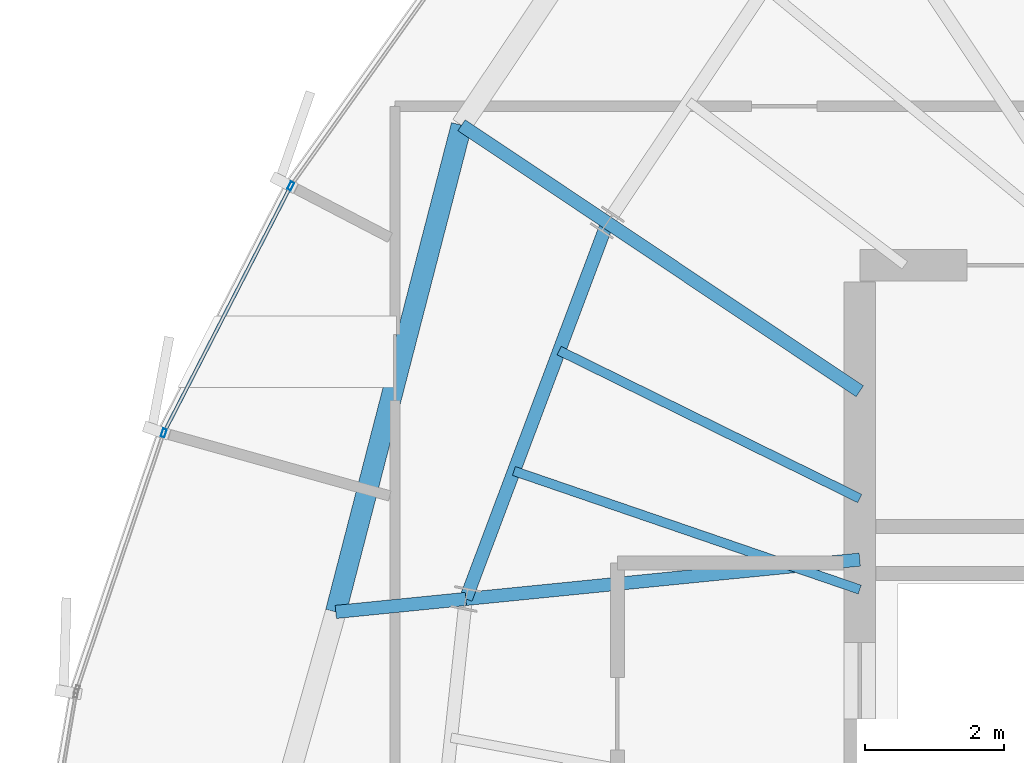
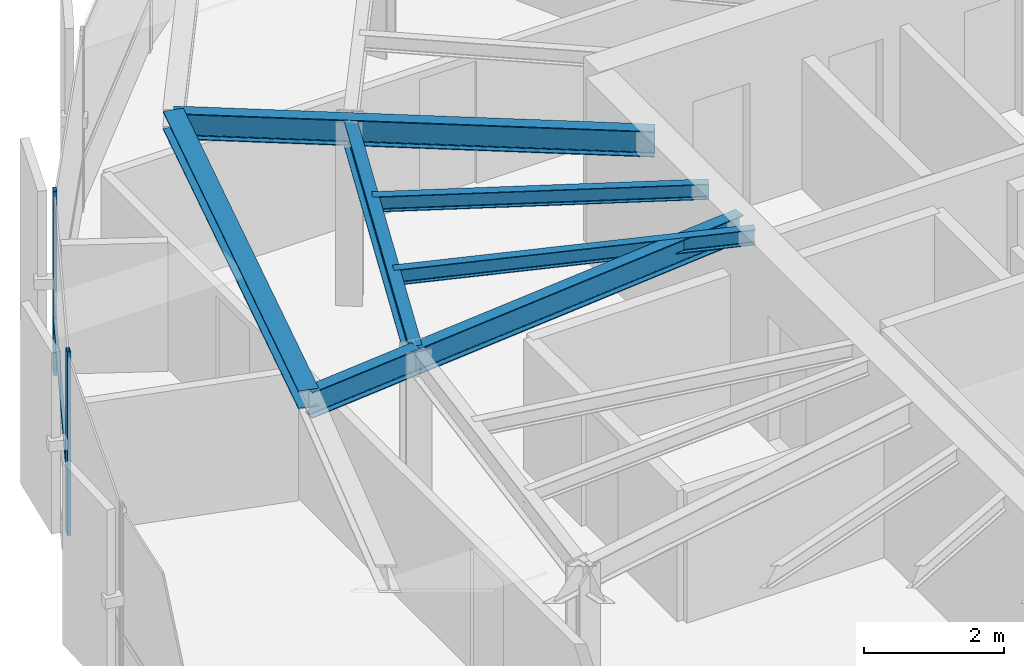
# One storey, part 11 of 33: 8 beams, 3 members, 1 element without a shape of its own.
"""IFC4 building model written with IfcOpenShell, lengths in metres."""

import ifcopenshell
import ifcopenshell.guid

model = None  # the IFC model being written
_history = None  # IfcOwnerHistory: only IFC2X3 demands one
_inside = {}  # id of a spatial element -> (the spatial element, [elements in it])
_under = {}  # id of a project, library or spatial element -> (it, [spatial elements below it])
_declared = {}  # id of a project -> (the project, [libraries it declares])
_typed = {}  # id of a type object -> (the type object, [elements of that type])
_made_of = {}  # id of a material, layer set ... -> (it, [elements and type objects made of it])


def new_model(schema):
    """Start an empty IFC model of exactly this schema.

    Asked for "IFC4X3", IfcOpenShell would pick the latest addendum, in which some entities
    have other attributes; the version numbers below select the first issue.
    IFC2X3 requires an IfcOwnerHistory on every rooted entity: one is made here for all.
    """
    global model, _history
    if schema == "IFC4X3":
        model = ifcopenshell.file(schema_version=(4, 3, 0, 0))
    else:
        model = ifcopenshell.file(schema=schema)
    _inside.clear()
    _under.clear()
    _declared.clear()
    _typed.clear()
    _made_of.clear()
    _history = None
    if model.schema == "IFC2X3":
        org = make("IfcOrganization", Name="unknown")
        user = make(
            "IfcPersonAndOrganization",
            ThePerson=make("IfcPerson", FamilyName="unknown"),
            TheOrganization=org,
        )
        app = make(
            "IfcApplication",
            ApplicationDeveloper=org,
            Version="unknown",
            ApplicationFullName="unknown",
            ApplicationIdentifier="unknown",
        )
        _history = make(
            "IfcOwnerHistory",
            OwningUser=user,
            OwningApplication=app,
            ChangeAction="ADDED",
            CreationDate=0,
        )
    return model


def make(cls, **values):
    """One entity of the class cls with the attributes given. An attribute that is None is left unset."""
    return model.create_entity(
        cls, **{name: value for name, value in values.items() if value is not None}
    )


def rooted(cls, **values):
    """An entity with a GlobalId (a new one), such as an element, a storey or a relation."""
    return make(cls, GlobalId=ifcopenshell.guid.new(), OwnerHistory=_history, **values)


def si_unit(unit_type, name, prefix=None):
    """IfcSIUnit, for example si_unit("LENGTHUNIT", "METRE", prefix="MILLI")."""
    return make("IfcSIUnit", UnitType=unit_type, Prefix=prefix, Name=name)


def assignment(units):
    """IfcUnitAssignment: the units of a project."""
    return None if units is None else make("IfcUnitAssignment", Units=units)


def point(xyz):
    """IfcCartesianPoint."""
    return None if xyz is None else make("IfcCartesianPoint", Coordinates=xyz)


def direction(xyz):
    """IfcDirection."""
    return None if xyz is None else make("IfcDirection", DirectionRatios=xyz)


def frame(location, z_axis=None, x_axis=None):
    """IfcAxis2Placement3D, a coordinate frame: its origin and axes. An axis left out is left unset."""
    return make(
        "IfcAxis2Placement3D",
        Location=point(location),
        Axis=direction(z_axis),
        RefDirection=direction(x_axis),
    )


def frame_2d(location, x_axis=None):
    """IfcAxis2Placement2D, a coordinate frame in the plane: its origin and x axis."""
    return make(
        "IfcAxis2Placement2D", Location=point(location), RefDirection=direction(x_axis)
    )


def origin():
    """The frame at (0, 0, 0) with its axes left unset."""
    return frame((0.0, 0.0, 0.0))


def origin_2d():
    """The frame at (0, 0) in the plane with its x axis left unset."""
    return frame_2d((0.0, 0.0))


def place(relative_to, where):
    """IfcLocalPlacement: puts the frame where relative to a parent placement (None: the world)."""
    return make(
        "IfcLocalPlacement", PlacementRelTo=relative_to, RelativePlacement=where
    )


def context(
    kind, dimensions, precision=None, world=None, true_north=None, identifier=None
):
    """IfcGeometricRepresentationContext, for example the 3D "Model" context."""
    return make(
        "IfcGeometricRepresentationContext",
        ContextIdentifier=identifier,
        ContextType=kind,
        CoordinateSpaceDimension=dimensions,
        Precision=precision,
        WorldCoordinateSystem=world,
        TrueNorth=true_north,
    )


def subcontext(parent, identifier, kind, view, scale=None):
    """IfcGeometricRepresentationSubContext, for example "Body" below "Model"."""
    return make(
        "IfcGeometricRepresentationSubContext",
        ContextIdentifier=identifier,
        ContextType=kind,
        ParentContext=parent,
        TargetScale=scale,
        TargetView=view,
    )


def project(units=None, contexts=None):
    """IfcProject with its units and contexts."""
    return rooted(
        "IfcProject",
        Name="project",
        RepresentationContexts=contexts,
        UnitsInContext=assignment(units),
    )


def spatial(cls, under=None, at=None, **own):
    """A site, building, storey or space (cls), placed at a placement, below another one or the project."""
    s = rooted(cls, ObjectPlacement=at, **own)
    if under is not None:
        _under.setdefault(under.id(), (under, []))[1].append(s)
    return s


def profile(cls, at=None, kind="AREA", **sizes):
    """A parametric profile (cls). Its sizes go by their IFC names, for example OverallWidth=200.0."""
    return make(cls, ProfileType=kind, Position=at, **sizes)


def hollow_rectangle(**sizes):
    """IfcRectangleHollowProfileDef."""
    return profile("IfcRectangleHollowProfileDef", **sizes)


def i_section(**sizes):
    """IfcIShapeProfileDef."""
    return profile("IfcIShapeProfileDef", **sizes)


def extrude(swept, where, along, depth):
    """IfcExtrudedAreaSolid: the profile swept, set in the frame where, extruded along a direction by depth."""
    return make(
        "IfcExtrudedAreaSolid",
        SweptArea=swept,
        Position=where,
        ExtrudedDirection=direction(along),
        Depth=depth,
    )


def shape(context_of_items, identifier, shape_type, items):
    """IfcShapeRepresentation: the items that make up one representation, for example the "Body"."""
    return make(
        "IfcShapeRepresentation",
        ContextOfItems=context_of_items,
        RepresentationIdentifier=identifier,
        RepresentationType=shape_type,
        Items=items,
    )


def source(mapping_origin, context_of_items, identifier, shape_type, items):
    """IfcRepresentationMap: a shape defined once, which mapped items show again and again."""
    return make(
        "IfcRepresentationMap",
        MappingOrigin=mapping_origin,
        MappedRepresentation=shape(context_of_items, identifier, shape_type, items),
    )


def transform(
    local_origin,
    x_axis=None,
    y_axis=None,
    z_axis=None,
    scale=None,
    scale2=None,
    scale3=None,
    uniform=True,
):
    """IfcCartesianTransformationOperator3D, or its non-uniform kind. x_axis, y_axis, z_axis: its Axis1, 2, 3."""
    if uniform:
        return make(
            "IfcCartesianTransformationOperator3D",
            Axis1=direction(x_axis),
            Axis2=direction(y_axis),
            LocalOrigin=point(local_origin),
            Scale=scale,
            Axis3=direction(z_axis),
        )
    return make(
        "IfcCartesianTransformationOperator3DnonUniform",
        Axis1=direction(x_axis),
        Axis2=direction(y_axis),
        LocalOrigin=point(local_origin),
        Scale=scale,
        Axis3=direction(z_axis),
        Scale2=scale2,
        Scale3=scale3,
    )


def mapped(mapping_source, mapping_target):
    """IfcMappedItem: shows the shape of a source again, moved by a transform."""
    return make(
        "IfcMappedItem", MappingSource=mapping_source, MappingTarget=mapping_target
    )


def material(Name=None, Category=None):
    """IfcMaterial."""
    return make("IfcMaterial", Name=Name, Category=Category)


def layer(
    of_material, thickness, ventilated=None, Name=None, Category=None, Priority=None
):
    """IfcMaterialLayer: one layer of a wall or slab, of a material (None: an air gap)."""
    return make(
        "IfcMaterialLayer",
        Material=of_material,
        LayerThickness=thickness,
        IsVentilated=ventilated,
        Name=Name,
        Category=Category,
        Priority=Priority,
    )


def layer_set(layers, Name=None):
    """IfcMaterialLayerSet."""
    return make("IfcMaterialLayerSet", MaterialLayers=layers, LayerSetName=Name)


def material_profile(
    of_material, cross_section, Name=None, Category=None, Priority=None
):
    """IfcMaterialProfile: a cross section and its material."""
    return make(
        "IfcMaterialProfile",
        Name=Name,
        Material=of_material,
        Profile=cross_section,
        Priority=Priority,
        Category=Category,
    )


def profile_set(profiles, Name=None, composite=None):
    """IfcMaterialProfileSet."""
    return make(
        "IfcMaterialProfileSet",
        Name=Name,
        MaterialProfiles=profiles,
        CompositeProfile=composite,
    )


def made_of(thing, what):
    """Note that an element or type object is made of a material, layer set ...; save() writes the relation."""
    if what is not None:
        _made_of.setdefault(what.id(), (what, []))[1].append(thing)
    return thing


def type_object(cls, material=None, **own):
    """A type object (cls), such as IfcWallType, which elements share."""
    return made_of(rooted(cls, **own), material)


def element(
    cls,
    number,
    at=None,
    inside=None,
    cuts=None,
    type_object=None,
    material=None,
    context=None,
    identifier="Body",
    shape_type=None,
    held_by="IfcProductDefinitionShape",
    body=None,
    shapes=None,
    **own,
):
    """One element of the class cls, such as IfcWall. Its Tag is "e" and its number.

    at: its placement. inside: the storey or other place that contains it. cuts: it is an
    opening in that element (IfcRelVoidsElement). A single representation is given by context,
    identifier, shape_type and body (its items); several are given by shapes. held_by: the class
    of the entity that holds the representations. save() writes the other relations.
    """
    e = rooted(cls, Tag="e%d" % number, ObjectPlacement=at, **own)
    if body is not None:
        shapes = [shape(context, identifier, shape_type, body)]
    if shapes is not None:
        e.Representation = make(held_by, Representations=shapes)
    if inside is not None:
        _inside.setdefault(inside.id(), (inside, []))[1].append(e)
    if cuts is not None:
        rooted(
            "IfcRelVoidsElement", RelatingBuildingElement=cuts, RelatedOpeningElement=e
        )
    if type_object is not None:
        _typed.setdefault(type_object.id(), (type_object, []))[1].append(e)
    return made_of(e, material)


def aggregate(whole, parts):
    """IfcRelAggregates: a whole, such as a stair, and the parts it consists of."""
    return rooted("IfcRelAggregates", RelatingObject=whole, RelatedObjects=parts)


def save(model, path):
    """Write the relations noted so far, then the file.

    IfcRelAggregates (storeys below a building ...), IfcRelContainedInSpatialStructure (elements
    in a storey), IfcRelDefinesByType, IfcRelAssociatesMaterial and IfcRelDeclares: one each for
    every whole, place, type object, material and project.
    """
    for whole, parts in _under.values():
        aggregate(whole, parts)
    for where, things in _inside.values():
        rooted(
            "IfcRelContainedInSpatialStructure",
            RelatedElements=things,
            RelatingStructure=where,
        )
    for kind, things in _typed.values():
        rooted("IfcRelDefinesByType", RelatedObjects=things, RelatingType=kind)
    for what, things in _made_of.values():
        rooted("IfcRelAssociatesMaterial", RelatedObjects=things, RelatingMaterial=what)
    for by, libraries in _declared.values():
        rooted("IfcRelDeclares", RelatingContext=by, RelatedDefinitions=libraries)
    model.write(path)


model = new_model("IFC4")

# Units and contexts
model_context = context("Model", 3, precision=1e-05, world=origin(), true_north=direction((0.0, 1.0)))
body_context = subcontext(model_context, "Body", "Model", "MODEL_VIEW")
ifc_project = project(units=[si_unit("LENGTHUNIT", "METRE"), si_unit("AREAUNIT", "SQUARE_METRE"), si_unit("VOLUMEUNIT", "CUBIC_METRE"), si_unit("PLANEANGLEUNIT", "RADIAN"), si_unit("MASSUNIT", "GRAM", prefix="KILO"), si_unit("THERMODYNAMICTEMPERATUREUNIT", "KELVIN")], contexts=[model_context])

# Site, building, storey
site_placement = place(None, origin())
site = spatial("IfcSite", under=ifc_project, at=site_placement, CompositionType="ELEMENT")
building_placement = place(site_placement, origin())
building = spatial("IfcBuilding", under=site, at=building_placement, Name="Kethvar Cultural Tower", CompositionType="ELEMENT")
storey_placement = place(building_placement, frame((0.0, 0.0, 238.75)))
storey = spatial("IfcBuildingStorey", under=building, at=storey_placement, Name="L62", CompositionType="ELEMENT", Elevation=238.75)

# Beams
ifc_material_1 = material(Name="Steel S355J2", Category="steel")
ifc_material_profile_1 = material_profile(ifc_material_1, i_section(OverallWidth=0.18994140625, OverallDepth=0.449951171875, WebThickness=0.009521484375, FlangeThickness=0.0146484375, FilletRadius=0.02099609375, at=origin_2d()), Name="Steel S355J2 — IPE450")
ifc_profile_set_1 = profile_set([ifc_material_profile_1], Name="Steel S355J2 — IPE450")
beam_type_1 = type_object("IfcBeamType", Name="BM-IPE450", PredefinedType="BEAM", material=ifc_profile_set_1)
shared_shape_1 = source(origin(), body_context, "Body", "SweptSolid", [
    extrude(i_section(OverallWidth=0.18994140625, OverallDepth=0.449951171875, WebThickness=0.009521484375, FlangeThickness=0.0146484375, FilletRadius=0.02099609375, at=origin_2d()), origin(), (0.0, 0.0, 1.0), 4.3828125),
])
beam_1_placement = place(storey_placement, frame((38.0, 33.679931640625, 2.98291015625), z_axis=(-0.831449909861, 0.555599718676, 0.0), x_axis=(-0.555599718676, -0.831449909861, 0.0)))
element("IfcBeam", 1, at=beam_1_placement, inside=storey, type_object=beam_type_1, Name="L62 Primary Radial Beam RB-07", PredefinedType="BEAM", context=body_context, shape_type="MappedRepresentation", body=[
    mapped(shared_shape_1, transform((0.0, 0.0, 0.0), scale=1.0)),
])
shared_shape_2 = source(origin(), body_context, "Body", "SweptSolid", [
    extrude(i_section(OverallWidth=0.18994140625, OverallDepth=0.449951171875, WebThickness=0.009521484375, FlangeThickness=0.0146484375, FilletRadius=0.02099609375, at=origin_2d()), origin(), (0.0, 0.0, 1.0), 5.7158203125),
])
beam_2_placement = place(storey_placement, frame((38.0, 31.25, 2.98291015625), z_axis=(-0.995048179628, -0.099393763478, 0.0), x_axis=(0.099393763478, -0.995048179628, 0.0)))
element("IfcBeam", 2, at=beam_2_placement, inside=storey, type_object=beam_type_1, Name="L62 Primary Radial Beam RB-08", PredefinedType="BEAM", context=body_context, shape_type="MappedRepresentation", body=[
    mapped(shared_shape_2, transform((0.0, 0.0, 0.0), scale=1.0)),
])
shared_shape_3 = source(origin(), body_context, "Body", "SweptSolid", [
    extrude(i_section(OverallWidth=0.18994140625, OverallDepth=0.449951171875, WebThickness=0.009521484375, FlangeThickness=0.0146484375, FilletRadius=0.02099609375, at=origin_2d()), origin(), (0.0, 0.0, 1.0), 5.8046875),
])
beam_3_placement = place(storey_placement, frame((34.35595703125, 36.114990234375, 2.98291015625), z_axis=(-0.352035902861, -0.935986497283, 0.0), x_axis=(0.935986497283, -0.352035902861, 0.0)))
element("IfcBeam", 3, at=beam_3_placement, inside=storey, type_object=beam_type_1, Name="L62 Column Ring Tie Beam CR-07", PredefinedType="BEAM", context=body_context, shape_type="MappedRepresentation", body=[
    mapped(shared_shape_3, transform((0.0, 0.0, 0.0), scale=1.0)),
])
ifc_material_profile_2 = material_profile(ifc_material_1, i_section(OverallWidth=0.135009765625, OverallDepth=0.27001953125, WebThickness=0.006591796875, FlangeThickness=0.01025390625, FilletRadius=0.014892578125, at=origin_2d()), Name="Steel S355J2 — IPE270")
ifc_profile_set_2 = profile_set([ifc_material_profile_2], Name="Steel S355J2 — IPE270")
beam_type_2 = type_object("IfcBeamType", Name="BM-J270", PredefinedType="JOIST", material=ifc_profile_set_2)
shared_shape_4 = source(origin(), body_context, "Body", "SweptSolid", [
    extrude(i_section(OverallWidth=0.135009765625, OverallDepth=0.27001953125, WebThickness=0.006591796875, FlangeThickness=0.01025390625, FilletRadius=0.014892578125, at=origin_2d()), origin(), (0.0, 0.0, 1.0), 4.8359375),
])
beam_4_placement = place(storey_placement, frame((38.0, 32.1318359375, 3.072998046875), z_axis=(-0.897196527088, 0.441631511308, 0.0), x_axis=(-0.441631511308, -0.897196527088, 0.0)))
element("IfcBeam", 4, at=beam_4_placement, inside=storey, type_object=beam_type_2, Name="L62 Composite Floor Joist J-07A", PredefinedType="JOIST", context=body_context, shape_type="MappedRepresentation", body=[
    mapped(shared_shape_4, transform((0.0, 0.0, 0.0), scale=1.0)),
])
shared_shape_5 = source(origin(), body_context, "Body", "SweptSolid", [
    extrude(i_section(OverallWidth=0.135009765625, OverallDepth=0.27001953125, WebThickness=0.006591796875, FlangeThickness=0.01025390625, FilletRadius=0.014892578125, at=origin_2d()), origin(), (0.0, 0.0, 1.0), 5.2783203125),
])
beam_5_placement = place(storey_placement, frame((38.0, 30.817138671875, 3.072998046875), z_axis=(-0.945942702368, 0.324333784607, 0.0), x_axis=(-0.324333784607, -0.945942702368, 0.0)))
element("IfcBeam", 5, at=beam_5_placement, inside=storey, type_object=beam_type_2, Name="L62 Composite Floor Joist J-07B", PredefinedType="JOIST", context=body_context, shape_type="MappedRepresentation", body=[
    mapped(shared_shape_5, transform((0.0, 0.0, 0.0), scale=1.0)),
])
shared_shape_6 = source(origin(), body_context, "Body", "SweptSolid", [
    extrude(i_section(OverallWidth=0.18994140625, OverallDepth=0.449951171875, WebThickness=0.009521484375, FlangeThickness=0.0146484375, FilletRadius=0.02099609375, at=origin_2d()), origin(), (0.0, 0.0, 1.0), 2.53173828125),
])
beam_6_placement = place(storey_placement, frame((34.35595703125, 36.114990234375, 2.98291015625), z_axis=(-0.831500987575, 0.555523273735, 0.0), x_axis=(-0.555523273735, -0.831500987575, 0.0)))
element("IfcBeam", 6, at=beam_6_placement, inside=storey, type_object=beam_type_1, Name="L62 Perimeter Cantilever Beam RC-07", PredefinedType="BEAM", context=body_context, shape_type="MappedRepresentation", body=[
    mapped(shared_shape_6, transform((0.0, 0.0, 0.0), scale=1.0)),
])
shared_shape_7 = source(origin(), body_context, "Body", "SweptSolid", [
    extrude(i_section(OverallWidth=0.18994140625, OverallDepth=0.449951171875, WebThickness=0.009521484375, FlangeThickness=0.0146484375, FilletRadius=0.02099609375, at=origin_2d()), origin(), (0.0, 0.0, 1.0), 1.886962890625),
])
beam_7_placement = place(storey_placement, frame((32.3125, 30.681884765625, 2.98291015625), z_axis=(-0.995038471088, -0.099490909409, 0.0), x_axis=(0.099490909409, -0.995038471088, 0.0)))
element("IfcBeam", 7, at=beam_7_placement, inside=storey, type_object=beam_type_1, Name="L62 Perimeter Cantilever Beam RC-08", PredefinedType="BEAM", context=body_context, shape_type="MappedRepresentation", body=[
    mapped(shared_shape_7, transform((0.0, 0.0, 0.0), scale=1.0)),
])
ifc_material_profile_3 = material_profile(ifc_material_1, i_section(OverallWidth=0.300048828125, OverallDepth=0.320068359375, WebThickness=0.011474609375, FlangeThickness=0.0205078125, FilletRadius=0.027099609375, at=origin_2d()), Name="Steel S355J2 — HEB320")
ifc_profile_set_3 = profile_set([ifc_material_profile_3], Name="Steel S355J2 — HEB320")
beam_type_3 = type_object("IfcBeamType", Name="BM-SP320", PredefinedType="SPANDREL", material=ifc_profile_set_3)
shared_shape_8 = source(origin(), body_context, "Body", "SweptSolid", [
    extrude(i_section(OverallWidth=0.300048828125, OverallDepth=0.320068359375, WebThickness=0.011474609375, FlangeThickness=0.0205078125, FilletRadius=0.027099609375, at=origin_2d()), origin(), (0.0, 0.0, 1.0), 7.258056640625),
])
beam_8_placement = place(storey_placement, frame((32.250732421875, 37.521484375, 3.048095703125), z_axis=(-0.250189300871, -0.968196939537, 0.0), x_axis=(0.968196939537, -0.250189300871, 0.0)))
element("IfcBeam", 8, at=beam_8_placement, inside=storey, type_object=beam_type_3, Name="L62 Perimeter Spandrel Beam SP-07", PredefinedType="SPANDREL", context=body_context, shape_type="MappedRepresentation", body=[
    mapped(shared_shape_8, transform((0.0, 0.0, 0.0), scale=1.0)),
])

# Curtain wall, members
ifc_material_2 = material(Name="Aluminium 6063-T6", Category="aluminium")
ifc_layer = layer(ifc_material_2, 0.179931640625, Name="Aluminium 6063-T6", Category="aluminium")
ifc_layer_set = layer_set([ifc_layer], Name="Aluminium 6063-T6 (180 mm)")
curtain_wall_type = type_object("IfcCurtainWallType", Name="CW-SYS-05-Z56", PredefinedType="NOTDEFINED", material=ifc_layer_set)
curtain_wall_placement = place(storey_placement, origin())
curtain_wall = element("IfcCurtainWall", 9, at=curtain_wall_placement, inside=storey, type_object=curtain_wall_type, Name="L62 Curtain Wall Run 02", PredefinedType="NOTDEFINED")
ifc_material_profile_4 = material_profile(ifc_material_2, hollow_rectangle(XDim=0.054931640625, YDim=0.1201171875, WallThickness=0.00390625, at=origin_2d()), Name="Aluminium 6063-T6 — RHS120x55x4")
ifc_profile_set_4 = profile_set([ifc_material_profile_4], Name="Aluminium 6063-T6 — RHS120x55x4")
member_type_1 = type_object("IfcMemberType", Name="CW-SYS-05-Z56-MUL", PredefinedType="MULLION", material=ifc_profile_set_4)
shared_shape_9 = source(origin(), body_context, "Body", "SweptSolid", [
    extrude(hollow_rectangle(XDim=0.054931640625, YDim=0.1201171875, WallThickness=0.00390625, at=origin_2d()), origin(), (0.0, 0.0, 1.0), 3.2099609375),
])
member_1_placement = place(storey_placement, frame((29.78466796875, 36.643310546875, 0.0), z_axis=(0.0, 0.0, 1.0), x_axis=(0.889320619419, -0.457284195962, 0.0)))
member_1 = element("IfcMember", 10, at=member_1_placement, type_object=member_type_1, Name="CW-L62-R02 Mullion 5", PredefinedType="MULLION", context=body_context, shape_type="MappedRepresentation", body=[
    mapped(shared_shape_9, transform((0.0, 0.0, 0.0), scale=1.0)),
])
member_2_placement = place(storey_placement, frame((27.950439453125, 33.07861328125, 0.0), z_axis=(0.0, 0.0, 1.0), x_axis=(0.94732772492, -0.320265798359, 0.0)))
member_2 = element("IfcMember", 11, at=member_2_placement, type_object=member_type_1, Name="CW-L62-R02 Mullion 6", PredefinedType="MULLION", context=body_context, shape_type="MappedRepresentation", body=[
    mapped(shared_shape_9, transform((0.0, 0.0, 0.0), scale=1.0)),
])
ifc_material_profile_5 = material_profile(ifc_material_2, hollow_rectangle(XDim=0.050048828125, YDim=0.10009765625, WallThickness=0.00390625, at=origin_2d()), Name="Aluminium 6063-T6 — RHS100x50x4")
ifc_profile_set_5 = profile_set([ifc_material_profile_5], Name="Aluminium 6063-T6 — RHS100x50x4")
member_type_2 = type_object("IfcMemberType", Name="CW-SYS-05-Z56-TRN", PredefinedType="USERDEFINED", material=ifc_profile_set_5)
shared_shape_10 = source(origin(), body_context, "Body", "SweptSolid", [
    extrude(hollow_rectangle(XDim=0.050048828125, YDim=0.10009765625, WallThickness=0.00390625, at=origin_2d()), origin(), (0.0, 0.0, 1.0), 3.94482421875),
])
member_3_placement = place(storey_placement, frame((29.7666015625, 36.608154296875, 0.949951171875), z_axis=(-0.457310254497, -0.889307219768, 0.0), x_axis=(0.889307219768, -0.457310254497, 0.0)))
member_3 = element("IfcMember", 12, at=member_3_placement, type_object=member_type_2, Name="CW-L62-R02 Transom 5", ObjectType="TRANSOM", PredefinedType="USERDEFINED", context=body_context, shape_type="MappedRepresentation", body=[
    mapped(shared_shape_10, transform((0.0, 0.0, 0.0), scale=1.0)),
])
aggregate(curtain_wall, [member_1, member_2, member_3])

save(model, "model.ifc")
